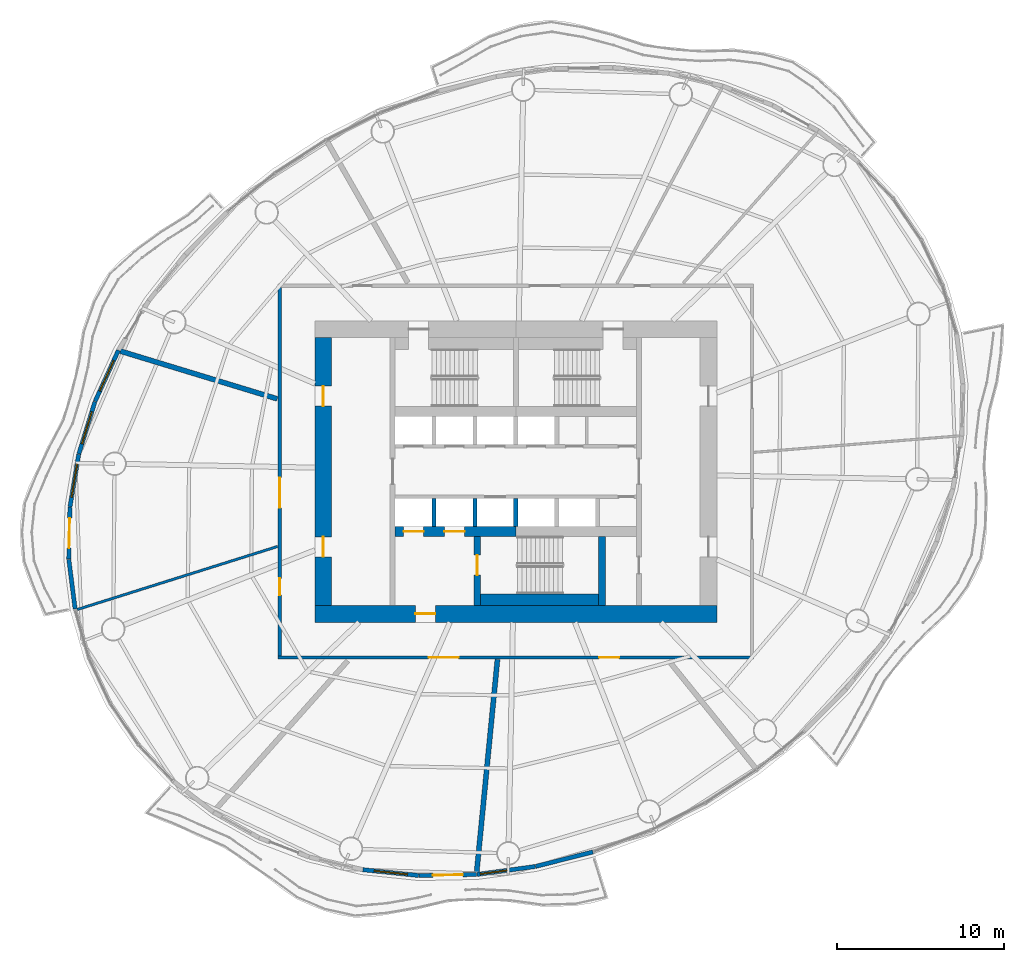
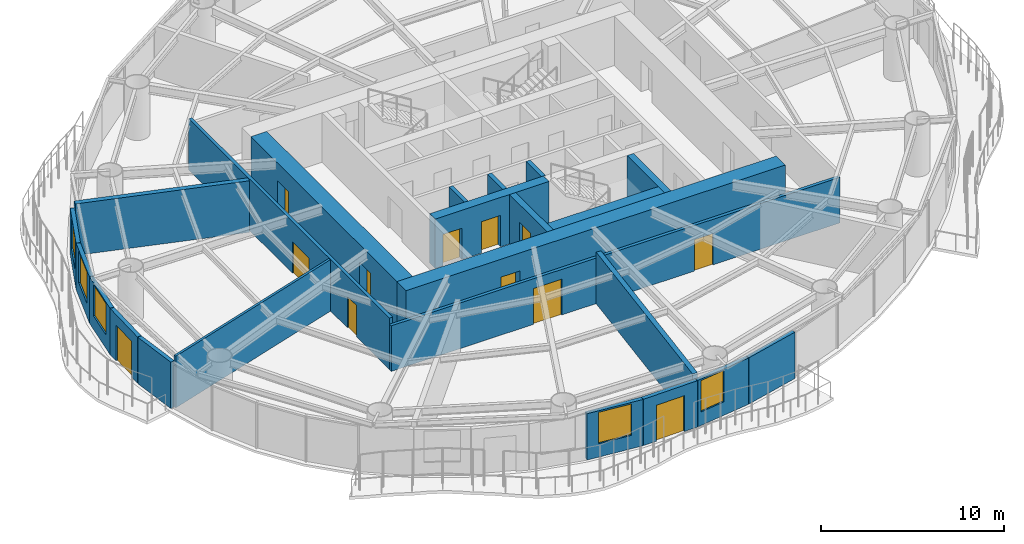
# One storey, part 8 of 15: 23 walls, 12 doors, 5 windows, 17 openings.
"""IFC4 building model written with IfcOpenShell, lengths in metres."""

from ifc_helpers import new_model, si_unit, direction, frame, frame_2d, origin, place, context, subcontext, project, spatial, rectangle, extrude, material, layer, layer_set, type_object, element, fill, save


model = new_model("IFC4")

# Units and contexts
model_context = context("Model", 3, precision=1e-05, world=origin(), true_north=direction((0.0, 1.0)))
body_context = subcontext(model_context, "Body", "Model", "MODEL_VIEW")
ifc_project = project(units=[si_unit("LENGTHUNIT", "METRE"), si_unit("AREAUNIT", "SQUARE_METRE"), si_unit("VOLUMEUNIT", "CUBIC_METRE"), si_unit("PLANEANGLEUNIT", "RADIAN"), si_unit("MASSUNIT", "GRAM", prefix="KILO")], contexts=[model_context])

# Site, building, storey
site_placement = place(None, origin())
site = spatial("IfcSite", under=ifc_project, at=site_placement, CompositionType="ELEMENT")
building_placement = place(site_placement, origin())
building = spatial("IfcBuilding", under=site, at=building_placement, Name="Vermilion Reach Broadcast Tower", CompositionType="ELEMENT")
storey_placement = place(building_placement, frame((0.0, 0.0, 154.199951171875)))
storey = spatial("IfcBuildingStorey", under=building, at=storey_placement, Name="L36", CompositionType="ELEMENT", Elevation=154.199951171875)

# Wall, opening, door
ifc_material_1 = material(Name="Concrete C70", Category="concrete")
ifc_layer_1 = layer(ifc_material_1, 0.39990234375)
ifc_layer_set_1 = layer_set([ifc_layer_1], Name="Core inner wall 400 mm Concrete C70")
wall_type_1 = type_object("IfcWallType", Name="Core inner wall 400 mm Concrete C70", PredefinedType="SHEAR", material=ifc_layer_set_1)
wall_1_placement = place(storey_placement, frame((-8.300048828125, -3.8798828125, 0.0), z_axis=(0.0, 0.0, 1.0), x_axis=(0.0, -1.0, 0.0)))
wall_1 = element("IfcWall", 1, at=wall_1_placement, inside=storey, type_object=wall_type_1, Name="L36 core wall wa", PredefinedType="SHEAR", context=body_context, shape_type="SweptSolid", body=[
    extrude(rectangle(XDim=4.1201171875, YDim=0.39990234375, at=frame_2d((2.06005859375, 0.0))), origin(), (0.0, 0.0, 1.0), 3.300048828125),
])
opening_1_placement = place(wall_1_placement, frame((1.110107421875, 0.0, 0.0)))
opening_1 = element("IfcOpeningElement", 2, at=opening_1_placement, cuts=wall_1, Name="Opening D01", PredefinedType="OPENING", context=body_context, shape_type="SweptSolid", body=[
    extrude(rectangle(XDim=1.199951171875, YDim=2.10009765625, at=frame_2d((0.60009765625, 1.050048828125))), frame((0.0, 0.2099609375, 0.0), z_axis=(0.0, -1.0, 0.0), x_axis=(1.0, 0.0, 0.0)), (0.0, 0.0, 1.0), 0.419921875),
])
ifc_material_2 = material(Name="Painted steel fire door", Category="steel")
door_type_1 = type_object("IfcDoorType", Name="Stair door 1200 x 2100", OperationType="DOUBLE_DOOR_SINGLE_SWING", PredefinedType="NOTDEFINED", material=ifc_material_2)
door_1_placement = place(opening_1_placement, origin())
door_1 = element("IfcDoor", 3, at=door_1_placement, inside=storey, type_object=door_type_1, Name="L36 stair door ST3", OperationType="DOUBLE_DOOR_SINGLE_SWING", OverallHeight=2.10009765625, OverallWidth=1.199951171875, PredefinedType="NOTDEFINED", context=body_context, shape_type="SweptSolid", body=[
    extrude(rectangle(XDim=1.199951171875, YDim=2.10009765625, at=frame_2d((0.60009765625, 1.050048828125))), frame((0.0, 0.02490234375, 0.0), z_axis=(0.0, -1.0, 0.0), x_axis=(1.0, 0.0, 0.0)), (0.0, 0.0, 1.0), 0.050048828125),
])
fill(opening_1, door_1)

# Wall
wall_2_placement = place(storey_placement, frame((-0.85009765625, -3.8798828125, 0.0), z_axis=(0.0, 0.0, 1.0), x_axis=(0.0, -1.0, 0.0)))
element("IfcWall", 4, at=wall_2_placement, inside=storey, type_object=wall_type_1, Name="L36 core wall wb", PredefinedType="SHEAR", context=body_context, shape_type="SweptSolid", body=[
    extrude(rectangle(XDim=4.1201171875, YDim=0.39990234375, at=frame_2d((2.06005859375, 0.0))), origin(), (0.0, 0.0, 1.0), 3.300048828125),
])

# Wall, openings, doors
ifc_material_3 = material(Name="Concrete C70", Category="concrete")
ifc_layer_2 = layer(ifc_material_3, 0.60009765625)
ifc_layer_set_2 = layer_set([ifc_layer_2], Name="Core inner wall 600 mm Concrete C70")
wall_type_2 = type_object("IfcWallType", Name="Core inner wall 600 mm Concrete C70", PredefinedType="SHEAR", material=ifc_layer_set_2)
wall_3_placement = place(storey_placement, frame((-13.199951171875, -3.580078125, 0.0), z_axis=(0.0, 0.0, 1.0), x_axis=(1.0, 0.0, 0.0)))
wall_3 = element("IfcWall", 5, at=wall_3_placement, inside=storey, type_object=wall_type_2, Name="L36 core wall wisW", PredefinedType="SHEAR", context=body_context, shape_type="SweptSolid", body=[
    extrude(rectangle(XDim=7.199951171875, YDim=0.60009765625, at=frame_2d((3.60009765625, 0.0))), origin(), (0.0, 0.0, 1.0), 3.300048828125),
])
opening_2_placement = place(wall_3_placement, frame((0.495849609375, 0.0, 0.0)))
opening_2 = element("IfcOpeningElement", 6, at=opening_2_placement, cuts=wall_3, Name="Opening LD1", PredefinedType="OPENING", context=body_context, shape_type="SweptSolid", body=[
    extrude(rectangle(XDim=1.199951171875, YDim=2.10009765625, at=frame_2d((0.60009765625, 1.050048828125))), frame((0.0, 0.31005859375, 0.0), z_axis=(0.0, -1.0, 0.0), x_axis=(1.0, 0.0, 0.0)), (0.0, 0.0, 1.0), 0.6201171875),
])
opening_3_placement = place(wall_3_placement, frame((2.9375, 0.0, 0.0)))
opening_3 = element("IfcOpeningElement", 7, at=opening_3_placement, cuts=wall_3, Name="Opening LD1", PredefinedType="OPENING", context=body_context, shape_type="SweptSolid", body=[
    extrude(rectangle(XDim=1.199951171875, YDim=2.10009765625, at=frame_2d((0.60009765625, 1.050048828125))), frame((0.0, 0.31005859375, 0.0), z_axis=(0.0, -1.0, 0.0), x_axis=(1.0, 0.0, 0.0)), (0.0, 0.0, 1.0), 0.6201171875),
])
ifc_material_4 = material(Name="Stainless steel", Category="steel")
door_type_2 = type_object("IfcDoorType", Name="Landing door 1200 x 2100", OperationType="DOUBLE_DOOR_SLIDING", PredefinedType="NOTDEFINED", material=ifc_material_4)
door_2_placement = place(opening_2_placement, origin())
door_2 = element("IfcDoor", 8, at=door_2_placement, inside=storey, type_object=door_type_2, Name="L36 landing door FF1", OperationType="DOUBLE_DOOR_SLIDING", OverallHeight=2.10009765625, OverallWidth=1.199951171875, PredefinedType="NOTDEFINED", context=body_context, shape_type="SweptSolid", body=[
    extrude(rectangle(XDim=1.199951171875, YDim=2.10009765625, at=frame_2d((0.60009765625, 1.050048828125))), frame((0.0, 0.02490234375, 0.0), z_axis=(0.0, -1.0, 0.0), x_axis=(1.0, 0.0, 0.0)), (0.0, 0.0, 1.0), 0.050048828125),
])
fill(opening_2, door_2)
door_3_placement = place(opening_3_placement, origin())
door_3 = element("IfcDoor", 9, at=door_3_placement, inside=storey, type_object=door_type_2, Name="L36 landing door FF2", OperationType="DOUBLE_DOOR_SLIDING", OverallHeight=2.10009765625, OverallWidth=1.199951171875, PredefinedType="NOTDEFINED", context=body_context, shape_type="SweptSolid", body=[
    extrude(rectangle(XDim=1.199951171875, YDim=2.10009765625, at=frame_2d((0.60009765625, 1.050048828125))), frame((0.0, 0.02490234375, 0.0), z_axis=(0.0, -1.0, 0.0), x_axis=(1.0, 0.0, 0.0)), (0.0, 0.0, 1.0), 0.050048828125),
])
fill(opening_3, door_3)

# Wall, opening, door
ifc_material_5 = material(Name="Concrete C70", Category="concrete")
ifc_layer_3 = layer(ifc_material_5, 1.0)
ifc_layer_set_3 = layer_set([ifc_layer_3], Name="Core outer wall 1000 mm Concrete C70")
wall_type_3 = type_object("IfcWallType", Name="Core outer wall 1000 mm Concrete C70", PredefinedType="SHEAR", material=ifc_layer_set_3)
wall_4_placement = place(storey_placement, frame((-18.0, -8.5, 0.0), z_axis=(0.0, 0.0, 1.0), x_axis=(1.0, 0.0, 0.0)))
wall_4 = element("IfcWall", 10, at=wall_4_placement, inside=storey, type_object=wall_type_3, Name="L36 core wall os", PredefinedType="SHEAR", context=body_context, shape_type="SweptSolid", body=[
    extrude(rectangle(XDim=24.0, YDim=1.0, at=frame_2d((12.0, 0.0))), origin(), (0.0, 0.0, 1.0), 3.300048828125),
])
opening_4_placement = place(wall_4_placement, frame((6.0, 0.0, 0.0)))
opening_4 = element("IfcOpeningElement", 11, at=opening_4_placement, cuts=wall_4, Name="Opening D02", PredefinedType="OPENING", context=body_context, shape_type="SweptSolid", body=[
    extrude(rectangle(XDim=1.199951171875, YDim=2.10009765625, at=frame_2d((0.60009765625, 1.050048828125))), frame((0.0, 0.510009765625, 0.0), z_axis=(0.0, -1.0, 0.0), x_axis=(1.0, 0.0, 0.0)), (0.0, 0.0, 1.0), 1.02001953125),
])
ifc_material_6 = material(Name="Painted steel fire door", Category="steel")
door_type_3 = type_object("IfcDoorType", Name="Firefighting lobby door 1200 x 2100", OperationType="DOUBLE_DOOR_SINGLE_SWING", PredefinedType="NOTDEFINED", material=ifc_material_6)
door_4_placement = place(opening_4_placement, origin())
door_4 = element("IfcDoor", 12, at=door_4_placement, inside=storey, type_object=door_type_3, Name="L36 ffdoor door FFL", OperationType="DOUBLE_DOOR_SINGLE_SWING", OverallHeight=2.10009765625, OverallWidth=1.199951171875, PredefinedType="NOTDEFINED", context=body_context, shape_type="SweptSolid", body=[
    extrude(rectangle(XDim=1.199951171875, YDim=2.10009765625, at=frame_2d((0.60009765625, 1.050048828125))), frame((0.0, 0.02490234375, 0.0), z_axis=(0.0, -1.0, 0.0), x_axis=(1.0, 0.0, 0.0)), (0.0, 0.0, 1.0), 0.050048828125),
])
fill(opening_4, door_4)

# Wall, openings, doors
wall_5_placement = place(storey_placement, frame((-17.5, 8.0, 0.0), z_axis=(0.0, 0.0, 1.0), x_axis=(0.0, -1.0, 0.0)))
wall_5 = element("IfcWall", 13, at=wall_5_placement, inside=storey, type_object=wall_type_3, Name="L36 core wall ow", PredefinedType="SHEAR", context=body_context, shape_type="SweptSolid", body=[
    extrude(rectangle(XDim=16.0, YDim=1.0, at=frame_2d((8.0, 0.0))), origin(), (0.0, 0.0, 1.0), 3.300048828125),
])
opening_5_placement = place(wall_5_placement, frame((11.89990234375, 0.0, 0.0)))
opening_5 = element("IfcOpeningElement", 14, at=opening_5_placement, cuts=wall_5, Name="Opening D03", PredefinedType="OPENING", context=body_context, shape_type="SweptSolid", body=[
    extrude(rectangle(XDim=1.199951171875, YDim=2.10009765625, at=frame_2d((0.60009765625, 1.050048828125))), frame((0.0, 0.510009765625, 0.0), z_axis=(0.0, -1.0, 0.0), x_axis=(1.0, 0.0, 0.0)), (0.0, 0.0, 1.0), 1.02001953125),
])
opening_6_placement = place(wall_5_placement, frame((2.89990234375, 0.0, 0.0)))
opening_6 = element("IfcOpeningElement", 15, at=opening_6_placement, cuts=wall_5, Name="Opening D03", PredefinedType="OPENING", context=body_context, shape_type="SweptSolid", body=[
    extrude(rectangle(XDim=1.199951171875, YDim=2.10009765625, at=frame_2d((0.60009765625, 1.050048828125))), frame((0.0, 0.510009765625, 0.0), z_axis=(0.0, -1.0, 0.0), x_axis=(1.0, 0.0, 0.0)), (0.0, 0.0, 1.0), 1.02001953125),
])
ifc_material_7 = material(Name="Painted steel fire door", Category="steel")
door_type_4 = type_object("IfcDoorType", Name="Core lobby door 1200 x 2100", OperationType="DOUBLE_DOOR_SINGLE_SWING", PredefinedType="NOTDEFINED", material=ifc_material_7)
door_5_placement = place(opening_5_placement, origin())
door_5 = element("IfcDoor", 16, at=door_5_placement, inside=storey, type_object=door_type_4, Name="L36 slot door W0", OperationType="DOUBLE_DOOR_SINGLE_SWING", OverallHeight=2.10009765625, OverallWidth=1.199951171875, PredefinedType="NOTDEFINED", context=body_context, shape_type="SweptSolid", body=[
    extrude(rectangle(XDim=1.199951171875, YDim=2.10009765625, at=frame_2d((0.60009765625, 1.050048828125))), frame((0.0, 0.02490234375, 0.0), z_axis=(0.0, -1.0, 0.0), x_axis=(1.0, 0.0, 0.0)), (0.0, 0.0, 1.0), 0.050048828125),
])
fill(opening_5, door_5)
door_6_placement = place(opening_6_placement, origin())
door_6 = element("IfcDoor", 17, at=door_6_placement, inside=storey, type_object=door_type_4, Name="L36 slot door W1", OperationType="DOUBLE_DOOR_SINGLE_SWING", OverallHeight=2.10009765625, OverallWidth=1.199951171875, PredefinedType="NOTDEFINED", context=body_context, shape_type="SweptSolid", body=[
    extrude(rectangle(XDim=1.199951171875, YDim=2.10009765625, at=frame_2d((0.60009765625, 1.050048828125))), frame((0.0, 0.02490234375, 0.0), z_axis=(0.0, -1.0, 0.0), x_axis=(1.0, 0.0, 0.0)), (0.0, 0.0, 1.0), 0.050048828125),
])
fill(opening_6, door_6)

# Walls
ifc_material_8 = material(Name="Concrete C50", Category="concrete")
ifc_layer_4 = layer(ifc_material_8, 0.25)
ifc_layer_set_4 = layer_set([ifc_layer_4], Name="Core shaft wall 250 mm Concrete C50")
wall_type_4 = type_object("IfcWallType", Name="Core shaft wall 250 mm Concrete C50", PredefinedType="SHEAR", material=ifc_layer_set_4)
for number, where, z_axis, x_axis, name in (
    (18, (-10.88330078125, -1.60009765625, 0.0), (0.0, 0.0, 1.0), (0.0, -1.0, 0.0), "L36 core wall psS0"),
    (19, (-8.441650390625, -1.60009765625, 0.0), (0.0, 0.0, 1.0), (0.0, -1.0, 0.0), "L36 core wall psS1"),
    (20, (-6.0, -1.60009765625, 0.0), (0.0, 0.0, 1.0), (0.0, -1.0, 0.0), "L36 core wall psS2"),
):
    element("IfcWall", number, at=place(storey_placement, frame(where, z_axis=z_axis, x_axis=x_axis)), inside=storey, type_object=wall_type_4, Name=name, PredefinedType="SHEAR", context=body_context, shape_type="SweptSolid", body=[
        extrude(rectangle(XDim=1.679931640625, YDim=0.25, at=frame_2d((0.83984375, 0.0))), origin(), (0.0, 0.0, 1.0), 3.300048828125),
    ])
ifc_material_9 = material(Name="Concrete C70", Category="concrete")
ifc_layer_5 = layer(ifc_material_9, 0.699951171875)
ifc_layer_set_5 = layer_set([ifc_layer_5], Name="Core stair wall 700 mm Concrete C70")
wall_type_5 = type_object("IfcWallType", Name="Core stair wall 700 mm Concrete C70", PredefinedType="SHEAR", material=ifc_layer_set_5)
wall_6_placement = place(storey_placement, frame((-8.10009765625, -7.64990234375, 0.0), z_axis=(0.0, 0.0, 1.0), x_axis=(1.0, 0.0, 0.0)))
element("IfcWall", 21, at=wall_6_placement, inside=storey, type_object=wall_type_5, Name="L36 core wall l3", PredefinedType="SHEAR", context=body_context, shape_type="SweptSolid", body=[
    extrude(rectangle(XDim=7.050048828125, YDim=0.699951171875, at=frame_2d((3.52490234375, 0.0))), origin(), (0.0, 0.0, 1.0), 3.300048828125),
])

# Wall, openings, doors
ifc_material_10 = material(Name="Fire-rated gypsum board partition")
ifc_layer_6 = layer(ifc_material_10, 0.199951171875)
ifc_layer_set_6 = layer_set([ifc_layer_6], Name="Corridor wall 200 fire-rated")
wall_type_6 = type_object("IfcWallType", Name="Corridor wall 200 fire-rated", PredefinedType="PARTITIONING", material=ifc_layer_set_6)
wall_7_placement = place(storey_placement, frame((-20.10009765625, -11.0, 0.0), z_axis=(0.0, 0.0, 1.0), x_axis=(0.0, 1.0, 0.0)))
wall_7 = element("IfcWall", 22, at=wall_7_placement, inside=storey, type_object=wall_type_6, Name="Corridor wall 36.W", PredefinedType="PARTITIONING", context=body_context, shape_type="SweptSolid", body=[
    extrude(rectangle(XDim=22.0, YDim=0.199951171875, at=frame_2d((11.0, 0.0))), origin(), (0.0, 0.0, 1.0), 3.449951171875),
])
opening_7_placement = place(wall_7_placement, frame((8.82958984375, 0.0, 0.0)))
opening_7 = element("IfcOpeningElement", 23, at=opening_7_placement, cuts=wall_7, Name="Opening D21", PredefinedType="OPENING", context=body_context, shape_type="SweptSolid", body=[
    extrude(rectangle(XDim=1.800048828125, YDim=2.10009765625, at=frame_2d((0.89990234375, 1.050048828125))), frame((0.0, 0.10986328125, 0.0), z_axis=(0.0, -1.0, 0.0), x_axis=(1.0, 0.0, 0.0)), (0.0, 0.0, 1.0), 0.219970703125),
])
opening_8_placement = place(wall_7_placement, frame((3.61279296875, 0.0, 0.0)))
opening_8 = element("IfcOpeningElement", 24, at=opening_8_placement, cuts=wall_7, Name="Opening D20", PredefinedType="OPENING", context=body_context, shape_type="SweptSolid", body=[
    extrude(rectangle(XDim=1.0, YDim=2.10009765625, at=frame_2d((0.5, 1.050048828125))), frame((0.0, 0.10986328125, 0.0), z_axis=(0.0, -1.0, 0.0), x_axis=(1.0, 0.0, 0.0)), (0.0, 0.0, 1.0), 0.219970703125),
])
ifc_material_11 = material(Name="Timber door leaf", Category="wood")
door_type_5 = type_object("IfcDoorType", Name="Door pair 1800x2100", OperationType="NOTDEFINED", PredefinedType="DOOR", material=ifc_material_11)
door_7_placement = place(opening_7_placement, origin())
door_7 = element("IfcDoor", 25, at=door_7_placement, inside=storey, type_object=door_type_5, Name="Door 36.04", OperationType="DOUBLE_DOOR_SINGLE_SWING", OverallHeight=2.10009765625, OverallWidth=1.800048828125, PredefinedType="DOOR", context=body_context, shape_type="SweptSolid", body=[
    extrude(rectangle(XDim=1.800048828125, YDim=2.10009765625, at=frame_2d((0.89990234375, 1.050048828125))), frame((0.0, 0.02490234375, 0.0), z_axis=(0.0, -1.0, 0.0), x_axis=(1.0, 0.0, 0.0)), (0.0, 0.0, 1.0), 0.050048828125),
])
fill(opening_7, door_7)
ifc_material_12 = material(Name="Timber door leaf", Category="wood")
door_type_6 = type_object("IfcDoorType", Name="Door single 1000x2100", OperationType="NOTDEFINED", PredefinedType="DOOR", material=ifc_material_12)
door_8_placement = place(opening_8_placement, origin())
door_8 = element("IfcDoor", 26, at=door_8_placement, inside=storey, type_object=door_type_6, Name="Door 36.05", OperationType="SINGLE_SWING_RIGHT", OverallHeight=2.10009765625, OverallWidth=1.0, PredefinedType="DOOR", context=body_context, shape_type="SweptSolid", body=[
    extrude(rectangle(XDim=1.0, YDim=2.10009765625, at=frame_2d((0.5, 1.050048828125))), frame((0.0, 0.02490234375, 0.0), z_axis=(0.0, -1.0, 0.0), x_axis=(1.0, 0.0, 0.0)), (0.0, 0.0, 1.0), 0.050048828125),
])
fill(opening_8, door_8)

# Walls
ifc_material_13 = material(Name="Lightweight concrete block, plastered", Category="concrete")
ifc_layer_7 = layer(ifc_material_13, 0.14990234375)
ifc_layer_set_7 = layer_set([ifc_layer_7], Name="Partition 150 lightweight block")
wall_type_7 = type_object("IfcWallType", Name="Partition 150 lightweight block", PredefinedType="PARTITIONING", material=ifc_layer_set_7)
wall_8_placement = place(storey_placement, frame((-32.18408203125, -8.238037109375, 0.0), z_axis=(0.0, 0.0, 1.0), x_axis=(0.953901387516, 0.300120214074, 0.0)))
element("IfcWall", 27, at=wall_8_placement, inside=storey, type_object=wall_type_7, Name="Partition 36.05", PredefinedType="PARTITIONING", context=body_context, shape_type="SweptSolid", body=[
    extrude(rectangle(XDim=12.539794921875, YDim=0.14990234375, at=frame_2d((6.27001953125, 0.0))), origin(), (0.0, 0.0, 1.0), 3.449951171875),
])
ifc_material_14 = material(Name="Double-leaf plasterboard on isolated steel stud", Category="steel")
ifc_layer_8 = layer(ifc_material_14, 0.300048828125)
ifc_layer_set_8 = layer_set([ifc_layer_8], Name="Partition 300 acoustic double leaf")
wall_type_8 = type_object("IfcWallType", Name="Partition 300 acoustic double leaf", PredefinedType="PARTITIONING", material=ifc_layer_set_8)
wall_9_placement = place(storey_placement, frame((-29.614501953125, 7.189697265625, 0.0), z_axis=(0.0, 0.0, 1.0), x_axis=(0.956644596767, -0.291257816164, 0.0)))
element("IfcWall", 28, at=wall_9_placement, inside=storey, type_object=wall_type_8, Name="Partition 36.04", PredefinedType="PARTITIONING", context=body_context, shape_type="SweptSolid", body=[
    extrude(rectangle(XDim=9.795654296875, YDim=0.300048828125, at=frame_2d((4.89794921875, 0.0))), origin(), (0.0, 0.0, 1.0), 3.449951171875),
])
wall_10_placement = place(storey_placement, frame((-8.33837890625, -23.934326171875, 0.0), z_axis=(0.0, 0.0, 1.0), x_axis=(0.097233807597, 0.995261566956, 0.0)))
element("IfcWall", 29, at=wall_10_placement, inside=storey, type_object=wall_type_8, Name="Partition 36.07", PredefinedType="PARTITIONING", context=body_context, shape_type="SweptSolid", body=[
    extrude(rectangle(XDim=12.7802734375, YDim=0.300048828125, at=frame_2d((6.39013671875, 0.0))), origin(), (0.0, 0.0, 1.0), 3.449951171875),
])

# Wall, opening, window
ifc_material_15 = material(Name="Terracotta rainscreen cladding", Category="masonry")
ifc_layer_9 = layer(ifc_material_15, 0.25)
ifc_layer_set_9 = layer_set([ifc_layer_9], Name="Terracotta rainscreen wall 250")
wall_type_9 = type_object("IfcWallType", Name="Terracotta rainscreen wall 250", PredefinedType="SOLIDWALL", material=ifc_layer_set_9)
wall_11_placement = place(storey_placement, frame((-29.7294921875, 7.238037109375, 0.0), z_axis=(0.0, 0.0, 1.0), x_axis=(-0.415294970102, -0.909686807537, 0.0)))
wall_11 = element("IfcWall", 30, at=wall_11_placement, inside=storey, type_object=wall_type_9, Name="External wall L36 17", PredefinedType="SOLIDWALL", context=body_context, shape_type="SweptSolid", body=[
    extrude(rectangle(XDim=3.35205078125, YDim=0.25, at=frame_2d((1.676025390625, 0.0))), origin(), (0.0, 0.0, 1.0), 3.10009765625),
])
opening_9_placement = place(wall_11_placement, frame((0.676025390625, 0.0, 0.89990234375)))
opening_9 = element("IfcOpeningElement", 31, at=opening_9_placement, cuts=wall_11, Name="Opening W03", PredefinedType="OPENING", context=body_context, shape_type="SweptSolid", body=[
    extrude(rectangle(XDim=2.0, YDim=2.10009765625, at=frame_2d((1.0, 1.050048828125))), frame((0.0, 0.135009765625, 0.0), z_axis=(0.0, -1.0, 0.0), x_axis=(1.0, 0.0, 0.0)), (0.0, 0.0, 1.0), 0.27001953125),
])
ifc_material_16 = material(Name="Low-e laminated clear glass in aluminium frame", Category="aluminium")
window_type_1 = type_object("IfcWindowType", Name="Punched window 2000 x 2100 sill 900", PartitioningType="SINGLE_PANEL", PredefinedType="WINDOW", material=ifc_material_16)
window_1_placement = place(opening_9_placement, origin())
window_1 = element("IfcWindow", 32, at=window_1_placement, inside=storey, type_object=window_type_1, Name="Window L36 17", OverallHeight=2.10009765625, OverallWidth=2.0, PartitioningType="SINGLE_PANEL", PredefinedType="WINDOW", context=body_context, shape_type="SweptSolid", body=[
    extrude(rectangle(XDim=2.0, YDim=2.10009765625, at=frame_2d((1.0, 1.050048828125))), frame((0.0, 0.030029296875, 0.0), z_axis=(0.0, -1.0, 0.0), x_axis=(1.0, 0.0, 0.0)), (0.0, 0.0, 1.0), 0.06005859375),
])
fill(opening_9, window_1)

wall_12_placement = place(storey_placement, frame((-31.130126953125, 4.166259765625, 0.0), z_axis=(0.0, 0.0, 1.0), x_axis=(-0.295410582075, -0.955370393093, 0.0)))
wall_12 = element("IfcWall", 33, at=wall_12_placement, inside=storey, type_object=wall_type_9, Name="External wall L36 18", PredefinedType="SOLIDWALL", context=body_context, shape_type="SweptSolid", body=[
    extrude(rectangle(XDim=3.2626953125, YDim=0.25, at=frame_2d((1.63134765625, 0.0))), origin(), (0.0, 0.0, 1.0), 3.10009765625),
])
opening_10_placement = place(wall_12_placement, frame((0.63134765625, 0.0, 0.89990234375)))
opening_10 = element("IfcOpeningElement", 34, at=opening_10_placement, cuts=wall_12, Name="Opening W03", PredefinedType="OPENING", context=body_context, shape_type="SweptSolid", body=[
    extrude(rectangle(XDim=2.0, YDim=2.10009765625, at=frame_2d((1.0, 1.050048828125))), frame((0.0, 0.135009765625, 0.0), z_axis=(0.0, -1.0, 0.0), x_axis=(1.0, 0.0, 0.0)), (0.0, 0.0, 1.0), 0.27001953125),
])
window_2_placement = place(opening_10_placement, origin())
window_2 = element("IfcWindow", 35, at=window_2_placement, inside=storey, type_object=window_type_1, Name="Window L36 18", OverallHeight=2.10009765625, OverallWidth=2.0, PartitioningType="SINGLE_PANEL", PredefinedType="WINDOW", context=body_context, shape_type="SweptSolid", body=[
    extrude(rectangle(XDim=2.0, YDim=2.10009765625, at=frame_2d((1.0, 1.050048828125))), frame((0.0, 0.030029296875, 0.0), z_axis=(0.0, -1.0, 0.0), x_axis=(1.0, 0.0, 0.0)), (0.0, 0.0, 1.0), 0.06005859375),
])
fill(opening_10, window_2)

wall_13_placement = place(storey_placement, frame((-32.099853515625, 1.02490234375, 0.0), z_axis=(0.0, 0.0, 1.0), x_axis=(-0.163912512181, -0.986474879736, 0.0)))
wall_13 = element("IfcWall", 36, at=wall_13_placement, inside=storey, type_object=wall_type_9, Name="External wall L36 19", PredefinedType="SOLIDWALL", context=body_context, shape_type="SweptSolid", body=[
    extrude(rectangle(XDim=3.174072265625, YDim=0.25, at=frame_2d((1.5869140625, 0.0))), origin(), (0.0, 0.0, 1.0), 3.10009765625),
])
opening_11_placement = place(wall_13_placement, frame((0.587158203125, 0.0, 0.89990234375)))
opening_11 = element("IfcOpeningElement", 37, at=opening_11_placement, cuts=wall_13, Name="Opening W03", PredefinedType="OPENING", context=body_context, shape_type="SweptSolid", body=[
    extrude(rectangle(XDim=2.0, YDim=2.10009765625, at=frame_2d((1.0, 1.050048828125))), frame((0.0, 0.135009765625, 0.0), z_axis=(0.0, -1.0, 0.0), x_axis=(1.0, 0.0, 0.0)), (0.0, 0.0, 1.0), 0.27001953125),
])
window_3_placement = place(opening_11_placement, origin())
window_3 = element("IfcWindow", 38, at=window_3_placement, inside=storey, type_object=window_type_1, Name="Window L36 19", OverallHeight=2.10009765625, OverallWidth=2.0, PartitioningType="SINGLE_PANEL", PredefinedType="WINDOW", context=body_context, shape_type="SweptSolid", body=[
    extrude(rectangle(XDim=2.0, YDim=2.10009765625, at=frame_2d((1.0, 1.050048828125))), frame((0.0, 0.030029296875, 0.0), z_axis=(0.0, -1.0, 0.0), x_axis=(1.0, 0.0, 0.0)), (0.0, 0.0, 1.0), 0.06005859375),
])
fill(opening_11, window_3)

# Wall, opening, door
wall_14_placement = place(storey_placement, frame((-32.62255859375, -2.1318359375, 0.0), z_axis=(0.0, 0.0, 1.0), x_axis=(-0.022342995581, -0.999750364115, 0.0)))
wall_14 = element("IfcWall", 39, at=wall_14_placement, inside=storey, type_object=wall_type_9, Name="External wall L36 20", PredefinedType="SOLIDWALL", context=body_context, shape_type="SweptSolid", body=[
    extrude(rectangle(XDim=3.09228515625, YDim=0.25, at=frame_2d((1.546142578125, 0.0))), origin(), (0.0, 0.0, 1.0), 3.10009765625),
])
opening_12_placement = place(wall_14_placement, frame((0.64599609375, 0.0, 0.0)))
opening_12 = element("IfcOpeningElement", 40, at=opening_12_placement, cuts=wall_14, Name="Opening D70", PredefinedType="OPENING", context=body_context, shape_type="SweptSolid", body=[
    extrude(rectangle(XDim=1.800048828125, YDim=2.39990234375, at=frame_2d((0.89990234375, 1.199951171875))), frame((0.0, 0.135009765625, 0.0), z_axis=(0.0, -1.0, 0.0), x_axis=(1.0, 0.0, 0.0)), (0.0, 0.0, 1.0), 0.27001953125),
])
ifc_material_17 = material(Name="Low-e laminated clear glass in aluminium frame", Category="aluminium")
door_type_7 = type_object("IfcDoorType", Name="Balcony sliding door 1800 x 2400", OperationType="DOUBLE_DOOR_SLIDING", PredefinedType="DOOR", material=ifc_material_17)
door_9_placement = place(opening_12_placement, origin())
door_9 = element("IfcDoor", 41, at=door_9_placement, inside=storey, type_object=door_type_7, Name="Balcony door L36 run 05", OperationType="DOUBLE_DOOR_SLIDING", OverallHeight=2.39990234375, OverallWidth=1.800048828125, PredefinedType="DOOR", context=body_context, shape_type="SweptSolid", body=[
    extrude(rectangle(XDim=1.800048828125, YDim=2.39990234375, at=frame_2d((0.89990234375, 1.199951171875))), frame((0.0, 0.02490234375, 0.0), z_axis=(0.0, -1.0, 0.0), x_axis=(1.0, 0.0, 0.0)), (0.0, 0.0, 1.0), 0.050048828125),
])
fill(opening_12, door_9)

# Wall
wall_15_placement = place(storey_placement, frame((-32.690185546875, -5.25, 0.0), z_axis=(0.0, 0.0, 1.0), x_axis=(0.1263011447, -0.991991945959, 0.0)))
element("IfcWall", 42, at=wall_15_placement, inside=storey, type_object=wall_type_9, Name="External wall L36 21", PredefinedType="SOLIDWALL", context=body_context, shape_type="SweptSolid", body=[
    extrude(rectangle(XDim=2.982666015625, YDim=0.25, at=frame_2d((1.4912109375, 0.0))), origin(), (0.0, 0.0, 1.0), 3.10009765625),
])

# Wall, opening, window
wall_16_placement = place(storey_placement, frame((-15.1328125, -23.774658203125, 0.0), z_axis=(0.0, 0.0, 1.0), x_axis=(0.994629661269, -0.103498004442, 0.0)))
wall_16 = element("IfcWall", 43, at=wall_16_placement, inside=storey, type_object=wall_type_9, Name="External wall L36 30", PredefinedType="SOLIDWALL", context=body_context, shape_type="SweptSolid", body=[
    extrude(rectangle(XDim=3.35205078125, YDim=0.25, at=frame_2d((1.676025390625, 0.0))), origin(), (0.0, 0.0, 1.0), 3.10009765625),
])
opening_13_placement = place(wall_16_placement, frame((0.676025390625, 0.0, 0.89990234375)))
opening_13 = element("IfcOpeningElement", 44, at=opening_13_placement, cuts=wall_16, Name="Opening W03", PredefinedType="OPENING", context=body_context, shape_type="SweptSolid", body=[
    extrude(rectangle(XDim=2.0, YDim=2.10009765625, at=frame_2d((1.0, 1.050048828125))), frame((0.0, 0.135009765625, 0.0), z_axis=(0.0, -1.0, 0.0), x_axis=(1.0, 0.0, 0.0)), (0.0, 0.0, 1.0), 0.27001953125),
])
window_4_placement = place(opening_13_placement, origin())
window_4 = element("IfcWindow", 45, at=window_4_placement, inside=storey, type_object=window_type_1, Name="Window L36 30", OverallHeight=2.10009765625, OverallWidth=2.0, PartitioningType="SINGLE_PANEL", PredefinedType="WINDOW", context=body_context, shape_type="SweptSolid", body=[
    extrude(rectangle(XDim=2.0, YDim=2.10009765625, at=frame_2d((1.0, 1.050048828125))), frame((0.0, 0.030029296875, 0.0), z_axis=(0.0, -1.0, 0.0), x_axis=(1.0, 0.0, 0.0)), (0.0, 0.0, 1.0), 0.06005859375),
])
fill(opening_13, window_4)

# Wall, opening, door
wall_17_placement = place(storey_placement, frame((-11.775390625, -24.12255859375, 0.0), z_axis=(0.0, 0.0, 1.0), x_axis=(0.999829330631, 0.018474566553, 0.0)))
wall_17 = element("IfcWall", 46, at=wall_17_placement, inside=storey, type_object=wall_type_9, Name="External wall L36 31", PredefinedType="SOLIDWALL", context=body_context, shape_type="SweptSolid", body=[
    extrude(rectangle(XDim=3.435791015625, YDim=0.25, at=frame_2d((1.7177734375, 0.0))), origin(), (0.0, 0.0, 1.0), 3.10009765625),
])
opening_14_placement = place(wall_17_placement, frame((0.818115234375, 0.0, 0.0)))
opening_14 = element("IfcOpeningElement", 47, at=opening_14_placement, cuts=wall_17, Name="Opening D70", PredefinedType="OPENING", context=body_context, shape_type="SweptSolid", body=[
    extrude(rectangle(XDim=1.800048828125, YDim=2.39990234375, at=frame_2d((0.89990234375, 1.199951171875))), frame((0.0, 0.135009765625, 0.0), z_axis=(0.0, -1.0, 0.0), x_axis=(1.0, 0.0, 0.0)), (0.0, 0.0, 1.0), 0.27001953125),
])
door_10_placement = place(opening_14_placement, origin())
door_10 = element("IfcDoor", 48, at=door_10_placement, inside=storey, type_object=door_type_7, Name="Balcony door L36 run 08", OperationType="DOUBLE_DOOR_SLIDING", OverallHeight=2.39990234375, OverallWidth=1.800048828125, PredefinedType="DOOR", context=body_context, shape_type="SweptSolid", body=[
    extrude(rectangle(XDim=1.800048828125, YDim=2.39990234375, at=frame_2d((0.89990234375, 1.199951171875))), frame((0.0, 0.02490234375, 0.0), z_axis=(0.0, -1.0, 0.0), x_axis=(1.0, 0.0, 0.0)), (0.0, 0.0, 1.0), 0.050048828125),
])
fill(opening_14, door_10)

# Wall, opening, window
wall_18_placement = place(storey_placement, frame((-8.317626953125, -24.057373046875, 0.0), z_axis=(0.0, 0.0, 1.0), x_axis=(0.990850899639, 0.134961085818, 0.0)))
wall_18 = element("IfcWall", 49, at=wall_18_placement, inside=storey, type_object=wall_type_9, Name="External wall L36 32", PredefinedType="SOLIDWALL", context=body_context, shape_type="SweptSolid", body=[
    extrude(rectangle(XDim=3.509521484375, YDim=0.25, at=frame_2d((1.7548828125, 0.0))), origin(), (0.0, 0.0, 1.0), 3.10009765625),
])
opening_15_placement = place(wall_18_placement, frame((0.205078125, 0.0, 0.89990234375)))
opening_15 = element("IfcOpeningElement", 50, at=opening_15_placement, cuts=wall_18, Name="Opening W04", PredefinedType="OPENING", context=body_context, shape_type="SweptSolid", body=[
    extrude(rectangle(XDim=1.60009765625, YDim=2.10009765625, at=frame_2d((0.800048828125, 1.050048828125))), frame((0.0, 0.135009765625, 0.0), z_axis=(0.0, -1.0, 0.0), x_axis=(1.0, 0.0, 0.0)), (0.0, 0.0, 1.0), 0.27001953125),
])
ifc_material_18 = material(Name="Low-e laminated clear glass in aluminium frame", Category="aluminium")
window_type_2 = type_object("IfcWindowType", Name="Punched window 1600 x 2100 sill 900", PartitioningType="SINGLE_PANEL", PredefinedType="WINDOW", material=ifc_material_18)
window_5_placement = place(opening_15_placement, origin())
window_5 = element("IfcWindow", 51, at=window_5_placement, inside=storey, type_object=window_type_2, Name="Window L36 32", OverallHeight=2.10009765625, OverallWidth=1.60009765625, PartitioningType="SINGLE_PANEL", PredefinedType="WINDOW", context=body_context, shape_type="SweptSolid", body=[
    extrude(rectangle(XDim=1.60009765625, YDim=2.10009765625, at=frame_2d((0.800048828125, 1.050048828125))), frame((0.0, 0.030029296875, 0.0), z_axis=(0.0, -1.0, 0.0), x_axis=(1.0, 0.0, 0.0)), (0.0, 0.0, 1.0), 0.06005859375),
])
fill(opening_15, window_5)

# Wall
wall_19_placement = place(storey_placement, frame((-4.818603515625, -23.57958984375, 0.0), z_axis=(0.0, 0.0, 1.0), x_axis=(0.969375678266, 0.245582561242, 0.0)))
element("IfcWall", 52, at=wall_19_placement, inside=storey, type_object=wall_type_9, Name="External wall L36 33", PredefinedType="SOLIDWALL", context=body_context, shape_type="SweptSolid", body=[
    extrude(rectangle(XDim=3.524169921875, YDim=0.25, at=frame_2d((1.76220703125, 0.0))), origin(), (0.0, 0.0, 1.0), 3.10009765625),
])

# Wall, openings, doors
ifc_material_19 = material(Name="Fire-rated gypsum board partition")
ifc_layer_10 = layer(ifc_material_19, 0.199951171875)
ifc_layer_set_10 = layer_set([ifc_layer_10], Name="Under girder: Corridor wall 200 fire-rated")
wall_type_10 = type_object("IfcWallType", Name="Under girder: Corridor wall 200 fire-rated", PredefinedType="PARTITIONING", material=ifc_layer_set_10)
wall_20_placement = place(storey_placement, frame((8.199951171875, -11.10009765625, 0.0), z_axis=(0.0, 0.0, 1.0), x_axis=(-1.0, 0.0, 0.0)))
wall_20 = element("IfcWall", 53, at=wall_20_placement, inside=storey, type_object=wall_type_10, Name="Corridor wall 36.S", PredefinedType="PARTITIONING", context=body_context, shape_type="SweptSolid", body=[
    extrude(rectangle(XDim=28.39990234375, YDim=0.199951171875, at=frame_2d((14.199951171875, 0.0))), origin(), (0.0, 0.0, 1.0), 3.050048828125),
])
opening_16_placement = place(wall_20_placement, frame((17.611083984375, 0.0, 0.0)))
opening_16 = element("IfcOpeningElement", 54, at=opening_16_placement, cuts=wall_20, Name="Opening D27", PredefinedType="OPENING", context=body_context, shape_type="SweptSolid", body=[
    extrude(rectangle(XDim=1.800048828125, YDim=2.39990234375, at=frame_2d((0.89990234375, 1.199951171875))), frame((0.0, 0.10986328125, 0.0), z_axis=(0.0, -1.0, 0.0), x_axis=(1.0, 0.0, 0.0)), (0.0, 0.0, 1.0), 0.219970703125),
])
opening_17_placement = place(wall_20_placement, frame((8.032470703125, 0.0, 0.0)))
opening_17 = element("IfcOpeningElement", 55, at=opening_17_placement, cuts=wall_20, Name="Opening D26", PredefinedType="OPENING", context=body_context, shape_type="SweptSolid", body=[
    extrude(rectangle(XDim=1.199951171875, YDim=2.10009765625, at=frame_2d((0.60009765625, 1.050048828125))), frame((0.0, 0.10986328125, 0.0), z_axis=(0.0, -1.0, 0.0), x_axis=(1.0, 0.0, 0.0)), (0.0, 0.0, 1.0), 0.219970703125),
])
ifc_material_20 = material(Name="Acoustic timber door leaf", Category="wood")
door_type_8 = type_object("IfcDoorType", Name="Door pair 1800x2400", OperationType="NOTDEFINED", PredefinedType="DOOR", material=ifc_material_20)
door_11_placement = place(opening_16_placement, origin())
door_11 = element("IfcDoor", 56, at=door_11_placement, inside=storey, type_object=door_type_8, Name="Door 36.06", OperationType="DOUBLE_DOOR_SINGLE_SWING", OverallHeight=2.39990234375, OverallWidth=1.800048828125, PredefinedType="DOOR", context=body_context, shape_type="SweptSolid", body=[
    extrude(rectangle(XDim=1.800048828125, YDim=2.39990234375, at=frame_2d((0.89990234375, 1.199951171875))), frame((0.0, 0.02490234375, 0.0), z_axis=(0.0, -1.0, 0.0), x_axis=(1.0, 0.0, 0.0)), (0.0, 0.0, 1.0), 0.050048828125),
])
fill(opening_16, door_11)
ifc_material_21 = material(Name="Acoustic timber door leaf", Category="wood")
door_type_9 = type_object("IfcDoorType", Name="Door single 1200x2100", OperationType="NOTDEFINED", PredefinedType="DOOR", material=ifc_material_21)
door_12_placement = place(opening_17_placement, origin())
door_12 = element("IfcDoor", 57, at=door_12_placement, inside=storey, type_object=door_type_9, Name="Door 36.07", OperationType="SINGLE_SWING_LEFT", OverallHeight=2.10009765625, OverallWidth=1.199951171875, PredefinedType="DOOR", context=body_context, shape_type="SweptSolid", body=[
    extrude(rectangle(XDim=1.199951171875, YDim=2.10009765625, at=frame_2d((0.60009765625, 1.050048828125))), frame((0.0, 0.02490234375, 0.0), z_axis=(0.0, -1.0, 0.0), x_axis=(1.0, 0.0, 0.0)), (0.0, 0.0, 1.0), 0.050048828125),
])
fill(opening_17, door_12)

save(model, "model.ifc")
